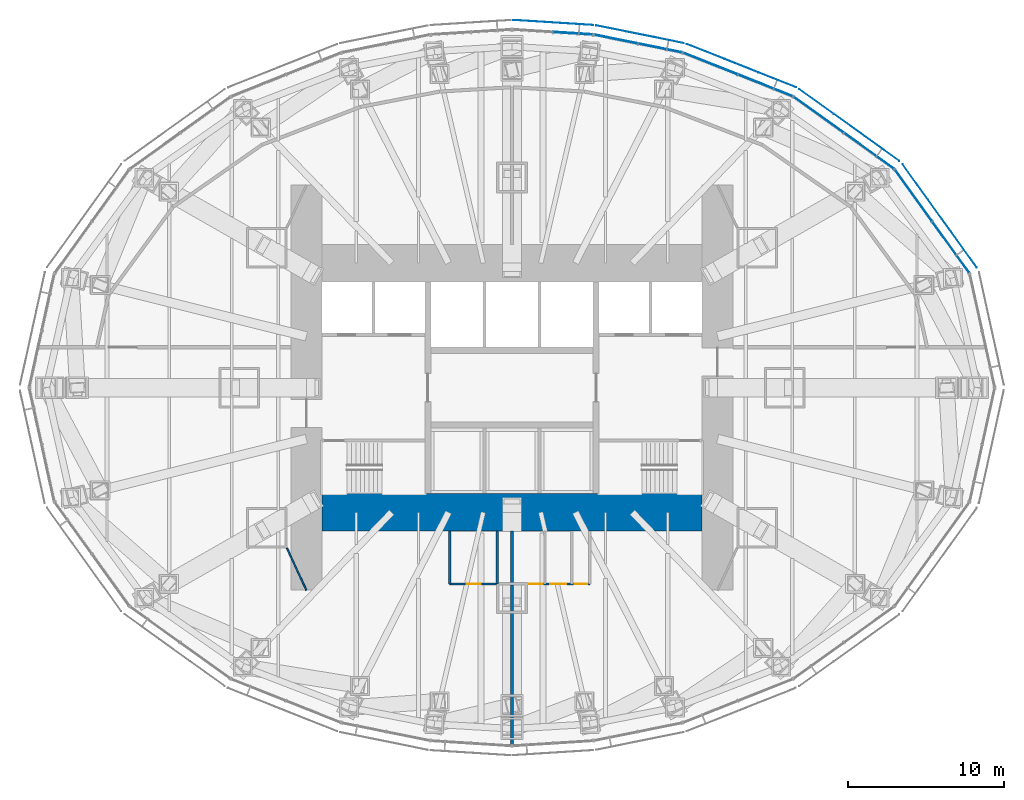
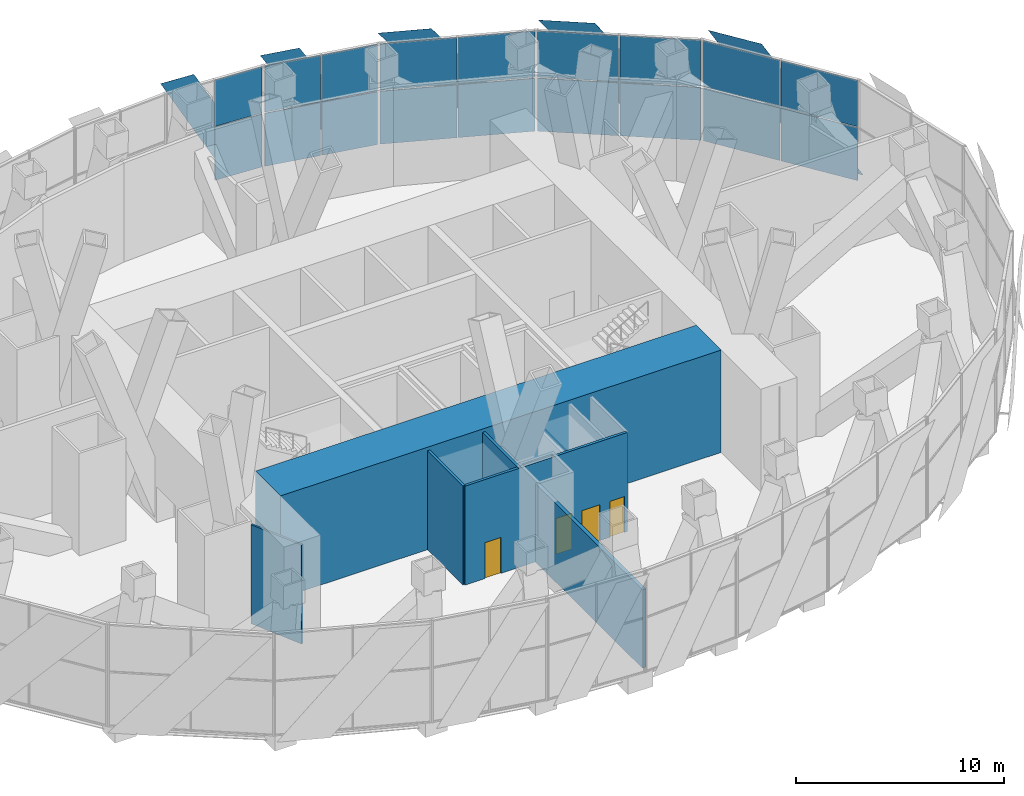
# One storey, part 14 of 21: 23 plates, 6 walls, 4 doors, 4 openings, 5 elements without a shape of their own.
"""IFC4 building model written with IfcOpenShell, lengths in metres."""

from ifc_helpers import new_model, si_unit, direction, frame, frame_2d, origin, origin_2d, place, context, subcontext, project, spatial, polyline, rectangle, outline, extrude, material, layer, layer_set, type_object, element, fill, aggregate, save


model = new_model("IFC4")

# Units and contexts
model_context = context("Model", 3, precision=1e-05, world=origin(), true_north=direction((0.0, 1.0)))
body_context = subcontext(model_context, "Body", "Model", "MODEL_VIEW")
ifc_project = project(units=[si_unit("LENGTHUNIT", "METRE"), si_unit("AREAUNIT", "SQUARE_METRE"), si_unit("VOLUMEUNIT", "CUBIC_METRE"), si_unit("PLANEANGLEUNIT", "RADIAN"), si_unit("MASSUNIT", "GRAM", prefix="KILO")], contexts=[model_context])

# Site, building, storey
site_placement = place(None, origin())
site = spatial("IfcSite", under=ifc_project, at=site_placement, CompositionType="ELEMENT")
building_placement = place(site_placement, origin())
building = spatial("IfcBuilding", under=site, at=building_placement, Name="Lantaw Convention Tower", CompositionType="ELEMENT")
storey_placement = place(building_placement, frame((0.0, 0.0, 105.39990234375)))
storey = spatial("IfcBuildingStorey", under=building, at=storey_placement, Name="L25", CompositionType="ELEMENT", Elevation=105.39990234375)

# Curtain wall, plates
ifc_material_1 = material(Name="Aluminium framed curtain wall", Category="aluminium")
curtain_wall_type = type_object("IfcCurtainWallType", Name="Plant floor louvre wall, pale aluminium", PredefinedType="USERDEFINED", material=ifc_material_1)
curtain_wall_1_placement = place(storey_placement, origin())
curtain_wall_1 = element("IfcCurtainWall", 1, at=curtain_wall_1_placement, inside=storey, type_object=curtain_wall_type, Name="Plant floor louvre wall, pale aluminium L25", ObjectType="LOUVRE WALL", PredefinedType="USERDEFINED")
ifc_material_2 = material(Name="Aluminium louvre blades", Category="aluminium")
ifc_layer_1 = layer(ifc_material_2, 0.050048828125)
ifc_layer_set_1 = layer_set([ifc_layer_1], Name="CW-LV panel 50")
plate_type_1 = type_object("IfcPlateType", Name="CW-LV panel 50", PredefinedType="CURTAIN_PANEL", material=ifc_layer_set_1)
plate_1_placement = place(storey_placement, frame((28.168701171875, 9.017578125, -0.1298828125), z_axis=(0.0, 0.0, 1.0), x_axis=(-0.583951250436, 0.811788726895, 0.0)))
plate_1 = element("IfcPlate", 2, at=plate_1_placement, type_object=plate_type_1, Name="CW-LV panel 1.1", PredefinedType="CURTAIN_PANEL", context=body_context, shape_type="SweptSolid", body=[
    extrude(rectangle(XDim=4.0263671875, YDim=0.050048828125, at=origin_2d()), origin(), (0.0, 0.0, 1.0), 3.094970703125),
])
plate_2_placement = place(storey_placement, frame((28.168701171875, 9.017578125, 3.03515625), z_axis=(0.0, 0.0, 1.0), x_axis=(-0.583951250436, 0.811788726895, 0.0)))
plate_2 = element("IfcPlate", 3, at=plate_2_placement, type_object=plate_type_1, Name="CW-LV panel 1.2", PredefinedType="CURTAIN_PANEL", context=body_context, shape_type="SweptSolid", body=[
    extrude(rectangle(XDim=4.0263671875, YDim=0.050048828125, at=origin_2d()), origin(), (0.0, 0.0, 1.0), 2.695068359375),
])
plate_3_placement = place(storey_placement, frame((25.776611328125, 12.34326171875, -0.1298828125), z_axis=(0.0, 0.0, 1.0), x_axis=(-0.583951250436, 0.811788726895, 0.0)))
plate_3 = element("IfcPlate", 4, at=plate_3_placement, type_object=plate_type_1, Name="CW-LV panel 2.1", PredefinedType="CURTAIN_PANEL", context=body_context, shape_type="SweptSolid", body=[
    extrude(rectangle(XDim=4.0263671875, YDim=0.050048828125, at=origin_2d()), origin(), (0.0, 0.0, 1.0), 3.094970703125),
])
plate_4_placement = place(storey_placement, frame((25.776611328125, 12.34326171875, 3.03515625), z_axis=(0.0, 0.0, 1.0), x_axis=(-0.583951250436, 0.811788726895, 0.0)))
plate_4 = element("IfcPlate", 5, at=plate_4_placement, type_object=plate_type_1, Name="CW-LV panel 2.2", PredefinedType="CURTAIN_PANEL", context=body_context, shape_type="SweptSolid", body=[
    extrude(rectangle(XDim=4.0263671875, YDim=0.050048828125, at=origin_2d()), origin(), (0.0, 0.0, 1.0), 2.695068359375),
])
aggregate(curtain_wall_1, [plate_1, plate_2, plate_3, plate_4])

curtain_wall_2_placement = place(storey_placement, origin())
curtain_wall_2 = element("IfcCurtainWall", 6, at=curtain_wall_2_placement, inside=storey, type_object=curtain_wall_type, Name="Plant floor louvre wall, pale aluminium L25", ObjectType="LOUVRE WALL", PredefinedType="USERDEFINED")
plate_5_placement = place(storey_placement, frame((22.91943359375, 15.2099609375, -0.1298828125), z_axis=(0.0, 0.0, 1.0), x_axis=(-0.812803733199, 0.5825376308, 0.0)))
plate_5 = element("IfcPlate", 7, at=plate_5_placement, type_object=plate_type_1, Name="CW-LV panel 1.1", PredefinedType="CURTAIN_PANEL", context=body_context, shape_type="SweptSolid", body=[
    extrude(rectangle(XDim=3.896484375, YDim=0.050048828125, at=origin_2d()), origin(), (0.0, 0.0, 1.0), 3.094970703125),
])
plate_6_placement = place(storey_placement, frame((22.91943359375, 15.2099609375, 3.03515625), z_axis=(0.0, 0.0, 1.0), x_axis=(-0.812803733199, 0.5825376308, 0.0)))
plate_6 = element("IfcPlate", 8, at=plate_6_placement, type_object=plate_type_1, Name="CW-LV panel 1.2", PredefinedType="CURTAIN_PANEL", context=body_context, shape_type="SweptSolid", body=[
    extrude(rectangle(XDim=3.896484375, YDim=0.050048828125, at=origin_2d()), origin(), (0.0, 0.0, 1.0), 2.695068359375),
])
plate_7_placement = place(storey_placement, frame((19.695556640625, 17.520751953125, -0.1298828125), z_axis=(0.0, 0.0, 1.0), x_axis=(-0.812803733199, 0.5825376308, 0.0)))
plate_7 = element("IfcPlate", 9, at=plate_7_placement, type_object=plate_type_1, Name="CW-LV panel 2.1", PredefinedType="CURTAIN_PANEL", context=body_context, shape_type="SweptSolid", body=[
    extrude(rectangle(XDim=3.896484375, YDim=0.050048828125, at=origin_2d()), origin(), (0.0, 0.0, 1.0), 3.094970703125),
])
plate_8_placement = place(storey_placement, frame((19.695556640625, 17.520751953125, 3.03515625), z_axis=(0.0, 0.0, 1.0), x_axis=(-0.812803733199, 0.5825376308, 0.0)))
plate_8 = element("IfcPlate", 10, at=plate_8_placement, type_object=plate_type_1, Name="CW-LV panel 2.2", PredefinedType="CURTAIN_PANEL", context=body_context, shape_type="SweptSolid", body=[
    extrude(rectangle(XDim=3.896484375, YDim=0.050048828125, at=origin_2d()), origin(), (0.0, 0.0, 1.0), 2.695068359375),
])
aggregate(curtain_wall_2, [plate_5, plate_6, plate_7, plate_8])

curtain_wall_3_placement = place(storey_placement, origin())
curtain_wall_3 = element("IfcCurtainWall", 11, at=curtain_wall_3_placement, inside=storey, type_object=curtain_wall_type, Name="Plant floor louvre wall, pale aluminium L25", ObjectType="LOUVRE WALL", PredefinedType="USERDEFINED")
plate_9_placement = place(storey_placement, frame((16.265380859375, 19.4072265625, -0.1298828125), z_axis=(0.0, 0.0, 1.0), x_axis=(-0.929361152748, 0.369171840425, 0.0)))
plate_9 = element("IfcPlate", 12, at=plate_9_placement, type_object=plate_type_1, Name="CW-LV panel 1.1", PredefinedType="CURTAIN_PANEL", context=body_context, shape_type="SweptSolid", body=[
    extrude(rectangle(XDim=3.711181640625, YDim=0.050048828125, at=origin_2d()), origin(), (0.0, 0.0, 1.0), 3.094970703125),
])
plate_10_placement = place(storey_placement, frame((16.265380859375, 19.4072265625, 3.03515625), z_axis=(0.0, 0.0, 1.0), x_axis=(-0.929361152748, 0.369171840425, 0.0)))
plate_10 = element("IfcPlate", 13, at=plate_10_placement, type_object=plate_type_1, Name="CW-LV panel 1.2", PredefinedType="CURTAIN_PANEL", context=body_context, shape_type="SweptSolid", body=[
    extrude(rectangle(XDim=3.711181640625, YDim=0.050048828125, at=origin_2d()), origin(), (0.0, 0.0, 1.0), 2.695068359375),
])
plate_11_placement = place(storey_placement, frame((12.75146484375, 20.80322265625, -0.1298828125), z_axis=(0.0, 0.0, 1.0), x_axis=(-0.929361152748, 0.369171840425, 0.0)))
plate_11 = element("IfcPlate", 14, at=plate_11_placement, type_object=plate_type_1, Name="CW-LV panel 2.1", PredefinedType="CURTAIN_PANEL", context=body_context, shape_type="SweptSolid", body=[
    extrude(rectangle(XDim=3.711181640625, YDim=0.050048828125, at=origin_2d()), origin(), (0.0, 0.0, 1.0), 3.094970703125),
])
plate_12_placement = place(storey_placement, frame((12.75146484375, 20.80322265625, 3.03515625), z_axis=(0.0, 0.0, 1.0), x_axis=(-0.929361152748, 0.369171840425, 0.0)))
plate_12 = element("IfcPlate", 15, at=plate_12_placement, type_object=plate_type_1, Name="CW-LV panel 2.2", PredefinedType="CURTAIN_PANEL", context=body_context, shape_type="SweptSolid", body=[
    extrude(rectangle(XDim=3.711181640625, YDim=0.050048828125, at=origin_2d()), origin(), (0.0, 0.0, 1.0), 2.695068359375),
])
aggregate(curtain_wall_3, [plate_9, plate_10, plate_11, plate_12])

curtain_wall_4_placement = place(storey_placement, origin())
curtain_wall_4 = element("IfcCurtainWall", 16, at=curtain_wall_4_placement, inside=storey, type_object=curtain_wall_type, Name="Plant floor louvre wall, pale aluminium L25", ObjectType="LOUVRE WALL", PredefinedType="USERDEFINED")
plate_13_placement = place(storey_placement, frame((9.5126953125, 21.806396484375, -0.1298828125), z_axis=(0.0, 0.0, 1.0), x_axis=(-0.980244604501, 0.197789067813, 0.0)))
plate_13 = element("IfcPlate", 17, at=plate_13_placement, type_object=plate_type_1, Name="CW-LV panel 1.1", PredefinedType="CURTAIN_PANEL", context=body_context, shape_type="SweptSolid", body=[
    extrude(rectangle(XDim=2.81689453125, YDim=0.050048828125, at=origin_2d()), origin(), (0.0, 0.0, 1.0), 3.094970703125),
])
plate_14_placement = place(storey_placement, frame((9.5126953125, 21.806396484375, 3.03515625), z_axis=(0.0, 0.0, 1.0), x_axis=(-0.980244604501, 0.197789067813, 0.0)))
plate_14 = element("IfcPlate", 18, at=plate_14_placement, type_object=plate_type_1, Name="CW-LV panel 1.2", PredefinedType="CURTAIN_PANEL", context=body_context, shape_type="SweptSolid", body=[
    extrude(rectangle(XDim=2.81689453125, YDim=0.050048828125, at=origin_2d()), origin(), (0.0, 0.0, 1.0), 2.695068359375),
])
plate_15_placement = place(storey_placement, frame((6.682861328125, 22.37744140625, -0.1298828125), z_axis=(0.0, 0.0, 1.0), x_axis=(-0.980244604501, 0.197789067813, 0.0)))
plate_15 = element("IfcPlate", 19, at=plate_15_placement, type_object=plate_type_1, Name="CW-LV panel 2.1", PredefinedType="CURTAIN_PANEL", context=body_context, shape_type="SweptSolid", body=[
    extrude(rectangle(XDim=2.81689453125, YDim=0.050048828125, at=origin_2d()), origin(), (0.0, 0.0, 1.0), 3.094970703125),
])
plate_16_placement = place(storey_placement, frame((6.682861328125, 22.37744140625, 3.03515625), z_axis=(0.0, 0.0, 1.0), x_axis=(-0.980244604501, 0.197789067813, 0.0)))
plate_16 = element("IfcPlate", 20, at=plate_16_placement, type_object=plate_type_1, Name="CW-LV panel 2.2", PredefinedType="CURTAIN_PANEL", context=body_context, shape_type="SweptSolid", body=[
    extrude(rectangle(XDim=2.81689453125, YDim=0.050048828125, at=origin_2d()), origin(), (0.0, 0.0, 1.0), 2.695068359375),
])
aggregate(curtain_wall_4, [plate_13, plate_14, plate_15, plate_16])

curtain_wall_5_placement = place(storey_placement, origin())
curtain_wall_5 = element("IfcCurtainWall", 21, at=curtain_wall_5_placement, inside=storey, type_object=curtain_wall_type, Name="Plant floor louvre wall, pale aluminium L25", ObjectType="LOUVRE WALL", PredefinedType="USERDEFINED")
plate_17_placement = place(storey_placement, frame((3.907958984375, 22.75341796875, -0.1298828125), z_axis=(0.0, 0.0, 1.0), x_axis=(-0.998016153807, 0.062958373078, 0.0)))
plate_17 = element("IfcPlate", 22, at=plate_17_placement, type_object=plate_type_1, Name="CW-LV panel 1.1", PredefinedType="CURTAIN_PANEL", context=body_context, shape_type="SweptSolid", body=[
    extrude(rectangle(XDim=2.51708984375, YDim=0.050048828125, at=origin_2d()), origin(), (0.0, 0.0, 1.0), 3.094970703125),
])
plate_18_placement = place(storey_placement, frame((3.907958984375, 22.75341796875, 3.03515625), z_axis=(0.0, 0.0, 1.0), x_axis=(-0.998016153807, 0.062958373078, 0.0)))
plate_18 = element("IfcPlate", 23, at=plate_18_placement, type_object=plate_type_1, Name="CW-LV panel 1.2", PredefinedType="CURTAIN_PANEL", context=body_context, shape_type="SweptSolid", body=[
    extrude(rectangle(XDim=2.51708984375, YDim=0.050048828125, at=origin_2d()), origin(), (0.0, 0.0, 1.0), 2.695068359375),
])
aggregate(curtain_wall_5, [plate_17, plate_18])

# Plates
ifc_material_3 = material(Name="Perforated aluminium sheet, pale silver finish", Category="aluminium")
ifc_layer_2 = layer(ifc_material_3, 0.006103515625)
ifc_layer_set_2 = layer_set([ifc_layer_2], Name="Perforated aluminium solar SCREEN panel")
plate_type_2 = type_object("IfcPlateType", Name="Perforated aluminium solar SCREEN panel", PredefinedType="SHEET", material=ifc_layer_set_2)
plate_19_placement = place(storey_placement, frame((29.847900390625, 7.720947265625, -0.199951171875), z_axis=(0.811791382633, 0.583947558478, 5.493684e-06), x_axis=(-0.583947558486, 0.811791382646, 0.0)))
element("IfcPlate", 24, at=plate_19_placement, inside=storey, type_object=plate_type_2, Name="Solar SCREEN panel", PredefinedType="SHEET", context=body_context, shape_type="SweptSolid", body=[
    extrude(outline(polyline([(0.0, 0.0), (2.809541672291133, -8.470329472543003e-22), (8.163093158837512, 6.140136718842657), (5.353551486546379, 6.140136718842657), (0.0, 0.0)])), origin(), (0.0, 0.0, -1.0), 0.006103515625),
])
plate_20_placement = place(storey_placement, frame((24.872314453125, 14.555908203125, -0.199951171875), z_axis=(0.582561422044, 0.812786681395, 9.635692e-06), x_axis=(-0.812786681433, 0.582561422071, 0.0)))
element("IfcPlate", 25, at=plate_20_placement, inside=storey, type_object=plate_type_2, Name="Solar SCREEN panel", PredefinedType="SHEET", context=body_context, shape_type="SweptSolid", body=[
    extrude(outline(polyline([(0.0, 0.0), (2.721095180812288, 1.6940658945086007e-21), (7.903118572410756, 6.140136719035047), (5.182023391598468, 6.140136719035047), (0.0, 0.0)])), origin(), (0.0, 0.0, -1.0), 0.006103515625),
])
plate_21_placement = place(storey_placement, frame((18.232177734375, 19.278076171875, -0.199951171875), z_axis=(-0.369183532856, -0.92935650804, 5.581413e-06), x_axis=(-0.929356508055, 0.369183532862, 0.0)))
element("IfcPlate", 26, at=plate_21_placement, inside=storey, type_object=plate_type_2, Name="Solar SCREEN panel", PredefinedType="SHEET", context=body_context, shape_type="SweptSolid", body=[
    extrude(outline(polyline([(0.0, 0.0), (2.594936467166582, -8.470329472543003e-22), (7.5321069917580825, -6.14013671884564), (4.937170524591499, -6.14013671884564), (0.0, 0.0)])), origin(), (0.0, 0.0, -1.0), 0.006103515625),
])
plate_22_placement = place(storey_placement, frame((11.03271484375, 22.117919921875, -0.199951171875), z_axis=(-0.197781876198, -0.980246055562, 1.473143e-06), x_axis=(-0.980246055563, 0.197781876198, 8.9e-11)))
element("IfcPlate", 27, at=plate_22_placement, inside=storey, type_object=plate_type_2, Name="Solar SCREEN panel", PredefinedType="SHEET", context=body_context, shape_type="SweptSolid", body=[
    extrude(outline(polyline([(0.0, 0.0), (1.986780177223633, 0.0), (5.743587245978566, -6.14013671824707), (3.756855355345801, -6.140136718599615), (0.0, 0.0)])), origin(), (0.0, 0.0, -1.0), 0.006103515625),
])
plate_23_placement = place(storey_placement, frame((5.221923828125, 23.27783203125, -0.199951171875), z_axis=(-0.062923905255, -0.998018327526, 8.287181e-06), x_axis=(-0.998018327561, 0.062923905257, 5.66e-10)))
element("IfcPlate", 28, at=plate_23_placement, inside=storey, type_object=plate_type_2, Name="Solar SCREEN panel", PredefinedType="SHEET", context=body_context, shape_type="SweptSolid", body=[
    extrude(outline(polyline([(0.0, 0.0), (1.782837540937782, 0.0), (5.143985963027619, -6.1401367160478255), (3.3611637843713935, -6.140136718067045), (0.0, 0.0)])), origin(), (0.0, 0.0, -1.0), 0.006103515625),
])

# Walls
ifc_material_4 = material(Name="Concrete C60/75", Category="concrete")
ifc_layer_3 = layer(ifc_material_4, 2.39990234375)
ifc_layer_set_3 = layer_set([ifc_layer_3], Name="Core wall 2400")
wall_type_1 = type_object("IfcWallType", Name="Core wall 2400", PredefinedType="SHEAR", material=ifc_layer_set_3)
wall_1_placement = place(storey_placement, frame((-12.199951171875, -8.0, 0.0), z_axis=(0.0, 0.0, 1.0), x_axis=(1.0, 0.0, 0.0)))
element("IfcWall", 29, at=wall_1_placement, inside=storey, type_object=wall_type_1, Name="Core wall S", PredefinedType="SHEAR", context=body_context, shape_type="SweptSolid", body=[
    extrude(rectangle(XDim=24.39990234375, YDim=2.39990234375, at=frame_2d((12.199951171875, 0.0))), origin(), (0.0, 0.0, 1.0), 6.0),
])
ifc_material_5 = material(Name="Concrete blockwork, fire rated", Category="masonry")
ifc_layer_4 = layer(ifc_material_5, 0.199951171875)
ifc_layer_set_4 = layer_set([ifc_layer_4], Name="Fire wall 200 EI 120")
wall_type_2 = type_object("IfcWallType", Name="Fire wall 200 EI 120", PredefinedType="SOLIDWALL", material=ifc_layer_set_4)
wall_2_placement = place(storey_placement, frame((0.0, -9.199951171875, 0.0), z_axis=(0.0, 0.0, 1.0), x_axis=(0.0, -1.0, 0.0)))
element("IfcWall", 30, at=wall_2_placement, inside=storey, type_object=wall_type_2, Name="Fire wall 200", PredefinedType="SOLIDWALL", context=body_context, shape_type="SweptSolid", body=[
    extrude(rectangle(XDim=13.744873046875, YDim=0.199951171875, at=frame_2d((6.87255859375, 0.0))), origin(), (0.0, 0.0, 1.0), 4.60009765625),
])
ifc_material_6 = material(Name="Gypsum board on steel studs, acoustic", Category="steel")
ifc_layer_5 = layer(ifc_material_6, 0.10009765625)
ifc_layer_set_5 = layer_set([ifc_layer_5], Name="Office partition 100")
wall_type_3 = type_object("IfcWallType", Name="Office partition 100", PredefinedType="PARTITIONING", material=ifc_layer_set_5)
wall_3_placement = place(storey_placement, frame((-13.199951171875, -13.0, 0.0), z_axis=(0.0, 0.0, 1.0), x_axis=(-0.420129824888, 0.907464010437, 0.0)))
element("IfcWall", 31, at=wall_3_placement, inside=storey, type_object=wall_type_3, Name="Office partition 100", PredefinedType="PARTITIONING", context=body_context, shape_type="SweptSolid", body=[
    extrude(rectangle(XDim=2.975341796875, YDim=0.10009765625, at=frame_2d((1.48779296875, 0.0))), origin(), (0.0, 0.0, 1.0), 5.800048828125),
])

# Wall, openings, doors
ifc_material_7 = material(Name="Concrete blockwork", Category="masonry")
ifc_layer_6 = layer(ifc_material_7, 0.14990234375)
ifc_layer_set_6 = layer_set([ifc_layer_6], Name="WC wall 150")
wall_type_4 = type_object("IfcWallType", Name="WC wall 150", PredefinedType="SOLIDWALL", material=ifc_layer_set_6)
wall_4_placement = place(storey_placement, frame((-4.0, -12.60009765625, 0.0), z_axis=(0.0, 0.0, 1.0), x_axis=(1.0, 0.0, 0.0)))
wall_4 = element("IfcWall", 32, at=wall_4_placement, inside=storey, type_object=wall_type_4, Name="WC wall 150", PredefinedType="SOLIDWALL", context=body_context, shape_type="SweptSolid", body=[
    extrude(rectangle(XDim=9.0, YDim=0.14990234375, at=frame_2d((4.5, 0.0))), origin(), (0.0, 0.0, 1.0), 5.800048828125),
])
opening_1_placement = place(wall_4_placement, frame((1.10009765625, 0.0, 0.0)))
opening_1 = element("IfcOpeningElement", 33, at=opening_1_placement, cuts=wall_4, Name="Opening L25.11", PredefinedType="OPENING", context=body_context, shape_type="SweptSolid", body=[
    extrude(rectangle(XDim=0.89990234375, YDim=2.10009765625, at=frame_2d((0.449951171875, 1.050048828125))), frame((0.0, 0.0849609375, 0.0), z_axis=(0.0, -1.0, 0.0), x_axis=(1.0, 0.0, 0.0)), (0.0, 0.0, 1.0), 0.169921875),
])
opening_2_placement = place(wall_4_placement, frame((5.06005859375, 0.0, 0.0)))
opening_2 = element("IfcOpeningElement", 34, at=opening_2_placement, cuts=wall_4, Name="Opening L25.12", PredefinedType="OPENING", context=body_context, shape_type="SweptSolid", body=[
    extrude(rectangle(XDim=0.89990234375, YDim=2.10009765625, at=frame_2d((0.449951171875, 1.050048828125))), frame((0.0, 0.0849609375, 0.0), z_axis=(0.0, -1.0, 0.0), x_axis=(1.0, 0.0, 0.0)), (0.0, 0.0, 1.0), 0.169921875),
])
opening_3_placement = place(wall_4_placement, frame((6.469970703125, 0.0, 0.0)))
opening_3 = element("IfcOpeningElement", 35, at=opening_3_placement, cuts=wall_4, Name="Opening L25.13", PredefinedType="OPENING", context=body_context, shape_type="SweptSolid", body=[
    extrude(rectangle(XDim=1.0, YDim=2.10009765625, at=frame_2d((0.5, 1.050048828125))), frame((0.0, 0.0849609375, 0.0), z_axis=(0.0, -1.0, 0.0), x_axis=(1.0, 0.0, 0.0)), (0.0, 0.0, 1.0), 0.169921875),
])
opening_4_placement = place(wall_4_placement, frame((8.030029296875, 0.0, 0.0)))
opening_4 = element("IfcOpeningElement", 36, at=opening_4_placement, cuts=wall_4, Name="Opening L25.14", PredefinedType="OPENING", context=body_context, shape_type="SweptSolid", body=[
    extrude(rectangle(XDim=0.800048828125, YDim=2.10009765625, at=frame_2d((0.39990234375, 1.050048828125))), frame((0.0, 0.0849609375, 0.0), z_axis=(0.0, -1.0, 0.0), x_axis=(1.0, 0.0, 0.0)), (0.0, 0.0, 1.0), 0.169921875),
])
ifc_material_8 = material(Name="Timber", Category="wood")
door_type_1 = type_object("IfcDoorType", Name="Accessible WC door 1000", OperationType="SINGLE_SWING_LEFT", PredefinedType="DOOR", material=ifc_material_8)
door_1_placement = place(opening_3_placement, origin())
door_1 = element("IfcDoor", 37, at=door_1_placement, inside=storey, type_object=door_type_1, Name="Accessible WC door", OperationType="SINGLE_SWING_LEFT", OverallHeight=2.10009765625, OverallWidth=1.0, PredefinedType="DOOR", context=body_context, shape_type="SweptSolid", body=[
    extrude(rectangle(XDim=1.0, YDim=2.10009765625, at=frame_2d((0.5, 1.050048828125))), frame((0.0, 0.02490234375, 0.0), z_axis=(0.0, -1.0, 0.0), x_axis=(1.0, 0.0, 0.0)), (0.0, 0.0, 1.0), 0.050048828125),
])
fill(opening_3, door_1)
door_type_2 = type_object("IfcDoorType", Name="WC door 800", OperationType="SINGLE_SWING_LEFT", PredefinedType="DOOR", material=ifc_material_8)
door_2_placement = place(opening_4_placement, origin())
door_2 = element("IfcDoor", 38, at=door_2_placement, inside=storey, type_object=door_type_2, Name="Cleaner's store door", OperationType="SINGLE_SWING_LEFT", OverallHeight=2.10009765625, OverallWidth=0.800048828125, PredefinedType="DOOR", context=body_context, shape_type="SweptSolid", body=[
    extrude(rectangle(XDim=0.800048828125, YDim=2.10009765625, at=frame_2d((0.39990234375, 1.050048828125))), frame((0.0, 0.02490234375, 0.0), z_axis=(0.0, -1.0, 0.0), x_axis=(1.0, 0.0, 0.0)), (0.0, 0.0, 1.0), 0.050048828125),
])
fill(opening_4, door_2)
door_type_3 = type_object("IfcDoorType", Name="WC door 900", OperationType="SINGLE_SWING_LEFT", PredefinedType="DOOR", material=ifc_material_8)
door_3_placement = place(opening_1_placement, origin())
door_3 = element("IfcDoor", 39, at=door_3_placement, inside=storey, type_object=door_type_3, Name="Female WC door", OperationType="SINGLE_SWING_LEFT", OverallHeight=2.10009765625, OverallWidth=0.89990234375, PredefinedType="DOOR", context=body_context, shape_type="SweptSolid", body=[
    extrude(rectangle(XDim=0.89990234375, YDim=2.10009765625, at=frame_2d((0.449951171875, 1.050048828125))), frame((0.0, 0.02490234375, 0.0), z_axis=(0.0, -1.0, 0.0), x_axis=(1.0, 0.0, 0.0)), (0.0, 0.0, 1.0), 0.050048828125),
])
fill(opening_1, door_3)
door_4_placement = place(opening_2_placement, origin())
door_4 = element("IfcDoor", 40, at=door_4_placement, inside=storey, type_object=door_type_3, Name="Male WC door", OperationType="SINGLE_SWING_LEFT", OverallHeight=2.10009765625, OverallWidth=0.89990234375, PredefinedType="DOOR", context=body_context, shape_type="SweptSolid", body=[
    extrude(rectangle(XDim=0.89990234375, YDim=2.10009765625, at=frame_2d((0.449951171875, 1.050048828125))), frame((0.0, 0.02490234375, 0.0), z_axis=(0.0, -1.0, 0.0), x_axis=(1.0, 0.0, 0.0)), (0.0, 0.0, 1.0), 0.050048828125),
])
fill(opening_2, door_4)

# Walls
for number, where, z_axis, x_axis, name in (
    (41, (-4.0, -9.199951171875, 0.0), (0.0, 0.0, 1.0), (0.0, -1.0, 0.0), "WC wall 150"),
    (42, (-0.93994140625, -9.199951171875, 0.0), (0.0, 0.0, 1.0), (0.0, -1.0, 0.0), "WC wall 150"),
):
    element("IfcWall", number, at=place(storey_placement, frame(where, z_axis=z_axis, x_axis=x_axis)), inside=storey, type_object=wall_type_4, Name=name, PredefinedType="SOLIDWALL", context=body_context, shape_type="SweptSolid", body=[
        extrude(rectangle(XDim=3.400146484375, YDim=0.14990234375, at=frame_2d((1.7001953125, 0.0))), origin(), (0.0, 0.0, 1.0), 5.800048828125),
    ])

save(model, "model.ifc")
